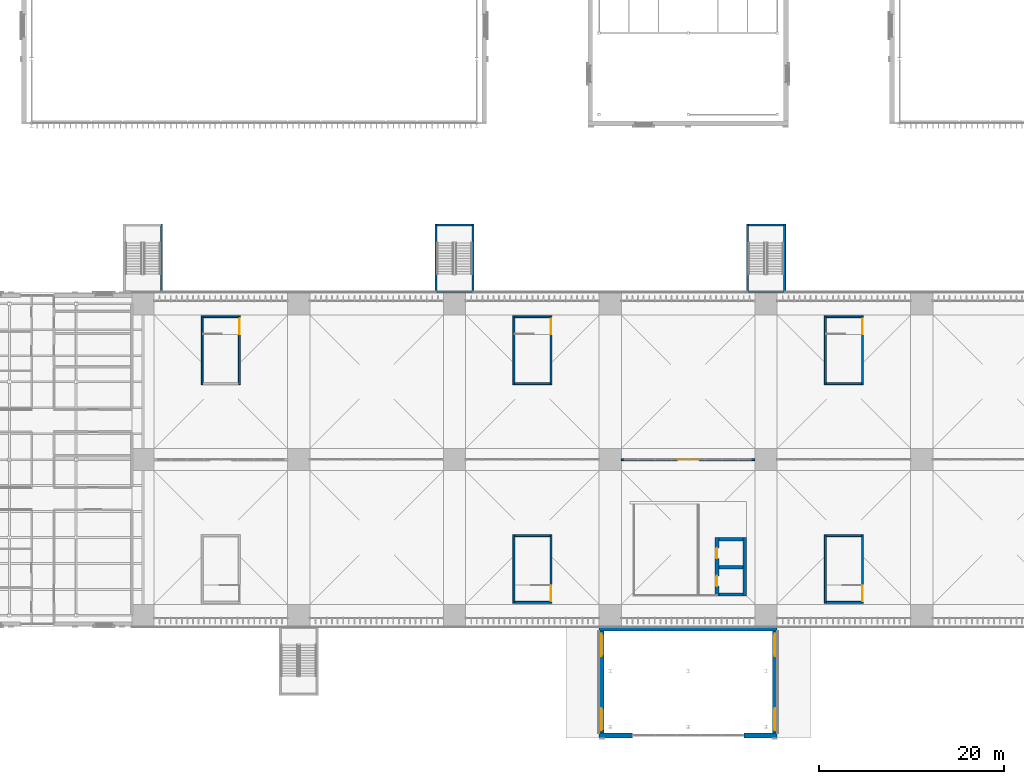
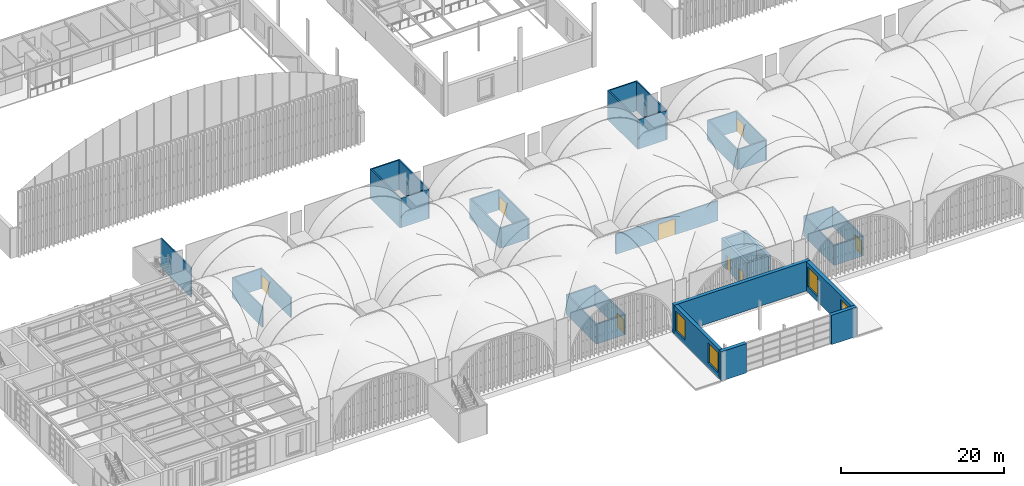
# One storey, part 99 of 169: 39 walls, 8 doors, 4 windows, 12 openings.
"""IFC4 building model written with IfcOpenShell, lengths in metres."""

from ifc_helpers import new_model, si_unit, direction, frame, frame_2d, origin, place, context, subcontext, project, spatial, rectangle, extrude, material, layer, layer_set, type_object, element, fill, save


model = new_model("IFC4")

# Units and contexts
model_context = context("Model", 3, precision=1e-05, world=origin(), true_north=direction((0.0, 1.0)))
body_context = subcontext(model_context, "Body", "Model", "MODEL_VIEW")
ifc_project = project(units=[si_unit("LENGTHUNIT", "METRE"), si_unit("AREAUNIT", "SQUARE_METRE"), si_unit("VOLUMEUNIT", "CUBIC_METRE"), si_unit("PLANEANGLEUNIT", "RADIAN"), si_unit("MASSUNIT", "GRAM", prefix="KILO")], contexts=[model_context])

# Site, building, storey
site_placement = place(None, origin())
site = spatial("IfcSite", under=ifc_project, at=site_placement, CompositionType="ELEMENT")
building_placement = place(site_placement, origin())
building = spatial("IfcBuilding", under=site, at=building_placement, Name="Verrick Yard Athletic Hall", CompositionType="ELEMENT")
storey_placement = place(building_placement, frame((0.0, 0.0, 4.39990234375)))
storey = spatial("IfcBuildingStorey", under=building, at=storey_placement, Name="L01", CompositionType="ELEMENT", Elevation=4.39990234375)

# Wall, opening, door
ifc_material_1 = material(Name="Concrete 35 MPa", Category="concrete")
ifc_layer_1 = layer(ifc_material_1, 0.199951171875)
ifc_layer_set_1 = layer_set([ifc_layer_1], Name="Concourse screen wall 200")
wall_type_1 = type_object("IfcWallType", Name="Concourse screen wall 200", PredefinedType="SOLIDWALL", material=ifc_layer_set_1)
wall_1_placement = place(storey_placement, frame((91.60009765625, 36.0, 0.0), z_axis=(0.0, 0.0, 1.0), x_axis=(1.0, 0.0, 0.0)))
wall_1 = element("IfcWall", 1, at=wall_1_placement, inside=storey, type_object=wall_type_1, Name="Concourse screen wall M4", PredefinedType="SOLIDWALL", context=body_context, shape_type="SweptSolid", body=[
    extrude(rectangle(XDim=14.39990234375, YDim=0.199951171875, at=frame_2d((7.199951171875, 0.0))), origin(), (0.0, 0.0, 1.0), 3.0),
])
opening_1_placement = place(wall_1_placement, frame((6.0, 0.0, 0.0)))
opening_1 = element("IfcOpeningElement", 2, at=opening_1_placement, cuts=wall_1, Name="Opening MD1", PredefinedType="OPENING", context=body_context, shape_type="SweptSolid", body=[
    extrude(rectangle(XDim=2.39990234375, YDim=2.39990234375, at=frame_2d((1.199951171875, 1.199951171875))), frame((0.0, 0.10986328125, 0.0), z_axis=(0.0, -1.0, 0.0), x_axis=(1.0, 0.0, 0.0)), (0.0, 0.0, 1.0), 0.219970703125),
])
ifc_material_2 = material(Name="Aluminium frame with double glazing", Category="aluminium")
door_type_1 = type_object("IfcDoorType", Name="Concourse door pair 2400 x 2400", OperationType="NOTDEFINED", PredefinedType="DOOR", material=ifc_material_2)
door_1_placement = place(opening_1_placement, origin())
door_1 = element("IfcDoor", 3, at=door_1_placement, inside=storey, type_object=door_type_1, Name="Concourse door M4", OperationType="DOUBLE_DOOR_SINGLE_SWING", OverallHeight=2.39990234375, OverallWidth=2.39990234375, PredefinedType="DOOR", context=body_context, shape_type="SweptSolid", body=[
    extrude(rectangle(XDim=2.39990234375, YDim=2.39990234375, at=frame_2d((1.199951171875, 1.199951171875))), frame((0.0, 0.02490234375, 0.0), z_axis=(0.0, -1.0, 0.0), x_axis=(1.0, 0.0, 0.0)), (0.0, 0.0, 1.0), 0.050048828125),
])
fill(opening_1, door_1)

# Wall, openings, doors
ifc_layer_2 = layer(ifc_material_1, 0.39990234375)
ifc_layer_set_2 = layer_set([ifc_layer_2], Name="Core wall CR400")
wall_type_2 = type_object("IfcWallType", Name="Core wall CR400", PredefinedType="SHEAR", material=ifc_layer_set_2)
wall_2_placement = place(storey_placement, frame((101.89990234375, 21.300048828125, 0.0), z_axis=(0.0, 0.0, 1.0), x_axis=(0.0, 1.0, 0.0)))
wall_2 = element("IfcWall", 4, at=wall_2_placement, inside=storey, type_object=wall_type_2, Name="CORE-FOY-WW-L01", PredefinedType="SHEAR", context=body_context, shape_type="SweptSolid", body=[
    extrude(rectangle(XDim=6.300048828125, YDim=0.39990234375, at=frame_2d((3.14990234375, 0.0))), origin(), (0.0, 0.0, 1.0), 4.0),
])
opening_2_placement = place(wall_2_placement, frame((1.050048828125, 0.0, 0.0)))
opening_2 = element("IfcOpeningElement", 5, at=opening_2_placement, cuts=wall_2, Name="Opening LD", PredefinedType="OPENING", context=body_context, shape_type="SweptSolid", body=[
    extrude(rectangle(XDim=1.10009765625, YDim=2.10009765625, at=frame_2d((0.550048828125, 1.050048828125))), frame((0.0, 0.2099609375, 0.0), z_axis=(0.0, -1.0, 0.0), x_axis=(1.0, 0.0, 0.0)), (0.0, 0.0, 1.0), 0.419921875),
])
opening_3_placement = place(wall_2_placement, frame((4.050048828125, 0.0, 0.0)))
opening_3 = element("IfcOpeningElement", 6, at=opening_3_placement, cuts=wall_2, Name="Opening LD", PredefinedType="OPENING", context=body_context, shape_type="SweptSolid", body=[
    extrude(rectangle(XDim=1.10009765625, YDim=2.10009765625, at=frame_2d((0.550048828125, 1.050048828125))), frame((0.0, 0.2099609375, 0.0), z_axis=(0.0, -1.0, 0.0), x_axis=(1.0, 0.0, 0.0)), (0.0, 0.0, 1.0), 0.419921875),
])
ifc_material_3 = material(Name="Stainless steel landing door", Category="steel")
door_type_2 = type_object("IfcDoorType", Name="Lift landing door LD 1100x2100", OperationType="NOTDEFINED", PredefinedType="DOOR", material=ifc_material_3)
door_2_placement = place(opening_2_placement, origin())
door_2 = element("IfcDoor", 7, at=door_2_placement, inside=storey, type_object=door_type_2, Name="Lift landing door", OperationType="SLIDING_TO_LEFT", OverallHeight=2.10009765625, OverallWidth=1.10009765625, PredefinedType="DOOR", context=body_context, shape_type="SweptSolid", body=[
    extrude(rectangle(XDim=1.10009765625, YDim=2.10009765625, at=frame_2d((0.550048828125, 1.050048828125))), frame((0.0, 0.02490234375, 0.0), z_axis=(0.0, -1.0, 0.0), x_axis=(1.0, 0.0, 0.0)), (0.0, 0.0, 1.0), 0.050048828125),
])
fill(opening_2, door_2)
door_3_placement = place(opening_3_placement, origin())
door_3 = element("IfcDoor", 8, at=door_3_placement, inside=storey, type_object=door_type_2, Name="Lift landing door", OperationType="SLIDING_TO_LEFT", OverallHeight=2.10009765625, OverallWidth=1.10009765625, PredefinedType="DOOR", context=body_context, shape_type="SweptSolid", body=[
    extrude(rectangle(XDim=1.10009765625, YDim=2.10009765625, at=frame_2d((0.550048828125, 1.050048828125))), frame((0.0, 0.02490234375, 0.0), z_axis=(0.0, -1.0, 0.0), x_axis=(1.0, 0.0, 0.0)), (0.0, 0.0, 1.0), 0.050048828125),
])
fill(opening_3, door_3)

# Walls
wall_3_placement = place(storey_placement, frame((104.89990234375, 21.300048828125, 0.0), z_axis=(0.0, 0.0, 1.0), x_axis=(0.0, 1.0, 0.0)))
element("IfcWall", 9, at=wall_3_placement, inside=storey, type_object=wall_type_2, Name="CORE-FOY-WE-L01", PredefinedType="SHEAR", context=body_context, shape_type="SweptSolid", body=[
    extrude(rectangle(XDim=6.300048828125, YDim=0.39990234375, at=frame_2d((3.14990234375, 0.0))), origin(), (0.0, 0.0, 1.0), 4.0),
])
for number, where, z_axis, x_axis, name in (
    (10, (102.10009765625, 24.39990234375, 0.0), (0.0, 0.0, 1.0), (1.0, 0.0, 0.0), "CORE-FOY-WM-L01"),
    (11, (102.10009765625, 27.39990234375, 0.0), (0.0, 0.0, 1.0), (1.0, 0.0, 0.0), "CORE-FOY-WN-L01"),
):
    element("IfcWall", number, at=place(storey_placement, frame(where, z_axis=z_axis, x_axis=x_axis)), inside=storey, type_object=wall_type_2, Name=name, PredefinedType="SHEAR", context=body_context, shape_type="SweptSolid", body=[
        extrude(rectangle(XDim=2.599853515625, YDim=0.39990234375, at=frame_2d((1.2998046875, 0.0))), origin(), (0.0, 0.0, 1.0), 4.0),
    ])
ifc_layer_3 = layer(ifc_material_1, 0.199951171875)
ifc_layer_set_3 = layer_set([ifc_layer_3], Name="Enclosure wall CR200")
wall_type_3 = type_object("IfcWallType", Name="Enclosure wall CR200", PredefinedType="SOLIDWALL", material=ifc_layer_set_3)
wall_4_placement = place(storey_placement, frame((46.39990234375, 44.10009765625, 0.0), z_axis=(0.0, 0.0, 1.0), x_axis=(0.0, 1.0, 0.0)))
element("IfcWall", 12, at=wall_4_placement, inside=storey, type_object=wall_type_3, Name="CORE-PS-N1-WW-L01", PredefinedType="SOLIDWALL", context=body_context, shape_type="SweptSolid", body=[
    extrude(rectangle(XDim=7.39990234375, YDim=0.199951171875, at=frame_2d((3.699951171875, 0.0))), origin(), (0.0, 0.0, 1.0), 3.0),
])

# Wall, opening, door
wall_5_placement = place(storey_placement, frame((50.39990234375, 44.10009765625, 0.0), z_axis=(0.0, 0.0, 1.0), x_axis=(0.0, 1.0, 0.0)))
wall_5 = element("IfcWall", 13, at=wall_5_placement, inside=storey, type_object=wall_type_3, Name="CORE-PS-N1-WE-L01", PredefinedType="SOLIDWALL", context=body_context, shape_type="SweptSolid", body=[
    extrude(rectangle(XDim=7.39990234375, YDim=0.199951171875, at=frame_2d((3.699951171875, 0.0))), origin(), (0.0, 0.0, 1.0), 3.0),
])
opening_4_placement = place(wall_5_placement, frame((5.39990234375, 0.0, 0.0)))
opening_4 = element("IfcOpeningElement", 14, at=opening_4_placement, cuts=wall_5, Name="Opening SD2", PredefinedType="OPENING", context=body_context, shape_type="SweptSolid", body=[
    extrude(rectangle(XDim=1.699951171875, YDim=2.10009765625, at=frame_2d((0.85009765625, 1.050048828125))), frame((0.0, 0.10986328125, 0.0), z_axis=(0.0, -1.0, 0.0), x_axis=(1.0, 0.0, 0.0)), (0.0, 0.0, 1.0), 0.219970703125),
])
ifc_material_4 = material(Name="Hollow metal door leaf")
door_type_3 = type_object("IfcDoorType", Name="Core door SD2 1700x2100", OperationType="NOTDEFINED", PredefinedType="DOOR", material=ifc_material_4)
door_4_placement = place(opening_4_placement, origin())
door_4 = element("IfcDoor", 15, at=door_4_placement, inside=storey, type_object=door_type_3, Name="CORE-PS-N1-WE-L01-DSD2-5035", OperationType="DOUBLE_DOOR_SINGLE_SWING", OverallHeight=2.10009765625, OverallWidth=1.699951171875, PredefinedType="DOOR", context=body_context, shape_type="SweptSolid", body=[
    extrude(rectangle(XDim=1.699951171875, YDim=2.10009765625, at=frame_2d((0.85009765625, 1.050048828125))), frame((0.0, 0.02490234375, 0.0), z_axis=(0.0, -1.0, 0.0), x_axis=(1.0, 0.0, 0.0)), (0.0, 0.0, 1.0), 0.050048828125),
])
fill(opening_4, door_4)

# Walls
wall_6_placement = place(storey_placement, frame((46.5, 51.39990234375, 0.0), z_axis=(0.0, 0.0, 1.0), x_axis=(1.0, 0.0, 0.0)))
element("IfcWall", 16, at=wall_6_placement, inside=storey, type_object=wall_type_3, Name="CORE-PS-N1-WN-L01", PredefinedType="SOLIDWALL", context=body_context, shape_type="SweptSolid", body=[
    extrude(rectangle(XDim=3.800048828125, YDim=0.199951171875, at=frame_2d((1.89990234375, 0.0))), origin(), (0.0, 0.0, 1.0), 3.0),
])
wall_7_placement = place(storey_placement, frame((80.0, 44.10009765625, 0.0), z_axis=(0.0, 0.0, 1.0), x_axis=(0.0, 1.0, 0.0)))
element("IfcWall", 17, at=wall_7_placement, inside=storey, type_object=wall_type_3, Name="CORE-PS-N2-WW-L01", PredefinedType="SOLIDWALL", context=body_context, shape_type="SweptSolid", body=[
    extrude(rectangle(XDim=7.39990234375, YDim=0.199951171875, at=frame_2d((3.699951171875, 0.0))), origin(), (0.0, 0.0, 1.0), 3.0),
])

# Wall, opening, door
wall_8_placement = place(storey_placement, frame((84.0, 44.10009765625, 0.0), z_axis=(0.0, 0.0, 1.0), x_axis=(0.0, 1.0, 0.0)))
wall_8 = element("IfcWall", 18, at=wall_8_placement, inside=storey, type_object=wall_type_3, Name="CORE-PS-N2-WE-L01", PredefinedType="SOLIDWALL", context=body_context, shape_type="SweptSolid", body=[
    extrude(rectangle(XDim=7.39990234375, YDim=0.199951171875, at=frame_2d((3.699951171875, 0.0))), origin(), (0.0, 0.0, 1.0), 3.0),
])
opening_5_placement = place(wall_8_placement, frame((5.39990234375, 0.0, 0.0)))
opening_5 = element("IfcOpeningElement", 19, at=opening_5_placement, cuts=wall_8, Name="Opening SD2", PredefinedType="OPENING", context=body_context, shape_type="SweptSolid", body=[
    extrude(rectangle(XDim=1.699951171875, YDim=2.10009765625, at=frame_2d((0.85009765625, 1.050048828125))), frame((0.0, 0.10986328125, 0.0), z_axis=(0.0, -1.0, 0.0), x_axis=(1.0, 0.0, 0.0)), (0.0, 0.0, 1.0), 0.219970703125),
])
door_5_placement = place(opening_5_placement, origin())
door_5 = element("IfcDoor", 20, at=door_5_placement, inside=storey, type_object=door_type_3, Name="CORE-PS-N2-WE-L01-DSD2-5035", OperationType="DOUBLE_DOOR_SINGLE_SWING", OverallHeight=2.10009765625, OverallWidth=1.699951171875, PredefinedType="DOOR", context=body_context, shape_type="SweptSolid", body=[
    extrude(rectangle(XDim=1.699951171875, YDim=2.10009765625, at=frame_2d((0.85009765625, 1.050048828125))), frame((0.0, 0.02490234375, 0.0), z_axis=(0.0, -1.0, 0.0), x_axis=(1.0, 0.0, 0.0)), (0.0, 0.0, 1.0), 0.050048828125),
])
fill(opening_5, door_5)

# Walls
for number, where, z_axis, x_axis, name in (
    (21, (80.10009765625, 44.199951171875, 0.0), (0.0, 0.0, 1.0), (1.0, 0.0, 0.0), "CORE-PS-N2-WS-L01"),
    (22, (80.10009765625, 51.39990234375, 0.0), (0.0, 0.0, 1.0), (1.0, 0.0, 0.0), "CORE-PS-N2-WN-L01"),
):
    element("IfcWall", number, at=place(storey_placement, frame(where, z_axis=z_axis, x_axis=x_axis)), inside=storey, type_object=wall_type_3, Name=name, PredefinedType="SOLIDWALL", context=body_context, shape_type="SweptSolid", body=[
        extrude(rectangle(XDim=3.7998046875, YDim=0.199951171875, at=frame_2d((1.89990234375, 0.0))), origin(), (0.0, 0.0, 1.0), 3.0),
    ])
wall_9_placement = place(storey_placement, frame((113.60009765625, 44.10009765625, 0.0), z_axis=(0.0, 0.0, 1.0), x_axis=(0.0, 1.0, 0.0)))
element("IfcWall", 23, at=wall_9_placement, inside=storey, type_object=wall_type_3, Name="CORE-PS-N3-WW-L01", PredefinedType="SOLIDWALL", context=body_context, shape_type="SweptSolid", body=[
    extrude(rectangle(XDim=7.39990234375, YDim=0.199951171875, at=frame_2d((3.699951171875, 0.0))), origin(), (0.0, 0.0, 1.0), 3.0),
])

# Wall, opening, door
wall_10_placement = place(storey_placement, frame((117.60009765625, 44.10009765625, 0.0), z_axis=(0.0, 0.0, 1.0), x_axis=(0.0, 1.0, 0.0)))
wall_10 = element("IfcWall", 24, at=wall_10_placement, inside=storey, type_object=wall_type_3, Name="CORE-PS-N3-WE-L01", PredefinedType="SOLIDWALL", context=body_context, shape_type="SweptSolid", body=[
    extrude(rectangle(XDim=7.39990234375, YDim=0.199951171875, at=frame_2d((3.699951171875, 0.0))), origin(), (0.0, 0.0, 1.0), 3.0),
])
opening_6_placement = place(wall_10_placement, frame((5.39990234375, 0.0, 0.0)))
opening_6 = element("IfcOpeningElement", 25, at=opening_6_placement, cuts=wall_10, Name="Opening SD2", PredefinedType="OPENING", context=body_context, shape_type="SweptSolid", body=[
    extrude(rectangle(XDim=1.699951171875, YDim=2.10009765625, at=frame_2d((0.85009765625, 1.050048828125))), frame((0.0, 0.10986328125, 0.0), z_axis=(0.0, -1.0, 0.0), x_axis=(1.0, 0.0, 0.0)), (0.0, 0.0, 1.0), 0.219970703125),
])
door_6_placement = place(opening_6_placement, origin())
door_6 = element("IfcDoor", 26, at=door_6_placement, inside=storey, type_object=door_type_3, Name="CORE-PS-N3-WE-L01-DSD2-5035", OperationType="DOUBLE_DOOR_SINGLE_SWING", OverallHeight=2.10009765625, OverallWidth=1.699951171875, PredefinedType="DOOR", context=body_context, shape_type="SweptSolid", body=[
    extrude(rectangle(XDim=1.699951171875, YDim=2.10009765625, at=frame_2d((0.85009765625, 1.050048828125))), frame((0.0, 0.02490234375, 0.0), z_axis=(0.0, -1.0, 0.0), x_axis=(1.0, 0.0, 0.0)), (0.0, 0.0, 1.0), 0.050048828125),
])
fill(opening_6, door_6)

# Walls
for number, where, z_axis, x_axis, name in (
    (27, (113.699951171875, 44.199951171875, 0.0), (0.0, 0.0, 1.0), (1.0, 0.0, 0.0), "CORE-PS-N3-WS-L01"),
    (28, (113.699951171875, 51.39990234375, 0.0), (0.0, 0.0, 1.0), (1.0, 0.0, 0.0), "CORE-PS-N3-WN-L01"),
):
    element("IfcWall", number, at=place(storey_placement, frame(where, z_axis=z_axis, x_axis=x_axis)), inside=storey, type_object=wall_type_3, Name=name, PredefinedType="SOLIDWALL", context=body_context, shape_type="SweptSolid", body=[
        extrude(rectangle(XDim=3.800048828125, YDim=0.199951171875, at=frame_2d((1.89990234375, 0.0))), origin(), (0.0, 0.0, 1.0), 3.0),
    ])
wall_11_placement = place(storey_placement, frame((80.0, 20.5, 0.0), z_axis=(0.0, 0.0, 1.0), x_axis=(0.0, 1.0, 0.0)))
element("IfcWall", 29, at=wall_11_placement, inside=storey, type_object=wall_type_3, Name="CORE-PS-S2-WW-L01", PredefinedType="SOLIDWALL", context=body_context, shape_type="SweptSolid", body=[
    extrude(rectangle(XDim=7.39990234375, YDim=0.199951171875, at=frame_2d((3.699951171875, 0.0))), origin(), (0.0, 0.0, 1.0), 3.0),
])

# Wall, opening, door
wall_12_placement = place(storey_placement, frame((84.0, 20.5, 0.0), z_axis=(0.0, 0.0, 1.0), x_axis=(0.0, 1.0, 0.0)))
wall_12 = element("IfcWall", 30, at=wall_12_placement, inside=storey, type_object=wall_type_3, Name="CORE-PS-S2-WE-L01", PredefinedType="SOLIDWALL", context=body_context, shape_type="SweptSolid", body=[
    extrude(rectangle(XDim=7.39990234375, YDim=0.199951171875, at=frame_2d((3.699951171875, 0.0))), origin(), (0.0, 0.0, 1.0), 3.0),
])
opening_7_placement = place(wall_12_placement, frame((0.199951171875, 0.0, 0.0)))
opening_7 = element("IfcOpeningElement", 31, at=opening_7_placement, cuts=wall_12, Name="Opening SD2", PredefinedType="OPENING", context=body_context, shape_type="SweptSolid", body=[
    extrude(rectangle(XDim=1.699951171875, YDim=2.10009765625, at=frame_2d((0.85009765625, 1.050048828125))), frame((0.0, 0.10986328125, 0.0), z_axis=(0.0, -1.0, 0.0), x_axis=(1.0, 0.0, 0.0)), (0.0, 0.0, 1.0), 0.219970703125),
])
door_7_placement = place(opening_7_placement, origin())
door_7 = element("IfcDoor", 32, at=door_7_placement, inside=storey, type_object=door_type_3, Name="CORE-PS-S2-WE-L01-DSD2-2155", OperationType="DOUBLE_DOOR_SINGLE_SWING", OverallHeight=2.10009765625, OverallWidth=1.699951171875, PredefinedType="DOOR", context=body_context, shape_type="SweptSolid", body=[
    extrude(rectangle(XDim=1.699951171875, YDim=2.10009765625, at=frame_2d((0.85009765625, 1.050048828125))), frame((0.0, 0.02490234375, 0.0), z_axis=(0.0, -1.0, 0.0), x_axis=(1.0, 0.0, 0.0)), (0.0, 0.0, 1.0), 0.050048828125),
])
fill(opening_7, door_7)

# Walls
for number, where, z_axis, x_axis, name in (
    (33, (80.10009765625, 20.60009765625, 0.0), (0.0, 0.0, 1.0), (1.0, 0.0, 0.0), "CORE-PS-S2-WS-L01"),
    (34, (80.10009765625, 27.800048828125, 0.0), (0.0, 0.0, 1.0), (1.0, 0.0, 0.0), "CORE-PS-S2-WN-L01"),
):
    element("IfcWall", number, at=place(storey_placement, frame(where, z_axis=z_axis, x_axis=x_axis)), inside=storey, type_object=wall_type_3, Name=name, PredefinedType="SOLIDWALL", context=body_context, shape_type="SweptSolid", body=[
        extrude(rectangle(XDim=3.7998046875, YDim=0.199951171875, at=frame_2d((1.89990234375, 0.0))), origin(), (0.0, 0.0, 1.0), 3.0),
    ])
wall_13_placement = place(storey_placement, frame((113.60009765625, 20.5, 0.0), z_axis=(0.0, 0.0, 1.0), x_axis=(0.0, 1.0, 0.0)))
element("IfcWall", 35, at=wall_13_placement, inside=storey, type_object=wall_type_3, Name="CORE-PS-S3-WW-L01", PredefinedType="SOLIDWALL", context=body_context, shape_type="SweptSolid", body=[
    extrude(rectangle(XDim=7.39990234375, YDim=0.199951171875, at=frame_2d((3.699951171875, 0.0))), origin(), (0.0, 0.0, 1.0), 3.0),
])

# Wall, opening, door
wall_14_placement = place(storey_placement, frame((117.60009765625, 20.5, 0.0), z_axis=(0.0, 0.0, 1.0), x_axis=(0.0, 1.0, 0.0)))
wall_14 = element("IfcWall", 36, at=wall_14_placement, inside=storey, type_object=wall_type_3, Name="CORE-PS-S3-WE-L01", PredefinedType="SOLIDWALL", context=body_context, shape_type="SweptSolid", body=[
    extrude(rectangle(XDim=7.39990234375, YDim=0.199951171875, at=frame_2d((3.699951171875, 0.0))), origin(), (0.0, 0.0, 1.0), 3.0),
])
opening_8_placement = place(wall_14_placement, frame((0.199951171875, 0.0, 0.0)))
opening_8 = element("IfcOpeningElement", 37, at=opening_8_placement, cuts=wall_14, Name="Opening SD2", PredefinedType="OPENING", context=body_context, shape_type="SweptSolid", body=[
    extrude(rectangle(XDim=1.699951171875, YDim=2.10009765625, at=frame_2d((0.85009765625, 1.050048828125))), frame((0.0, 0.10986328125, 0.0), z_axis=(0.0, -1.0, 0.0), x_axis=(1.0, 0.0, 0.0)), (0.0, 0.0, 1.0), 0.219970703125),
])
door_8_placement = place(opening_8_placement, origin())
door_8 = element("IfcDoor", 38, at=door_8_placement, inside=storey, type_object=door_type_3, Name="CORE-PS-S3-WE-L01-DSD2-2155", OperationType="DOUBLE_DOOR_SINGLE_SWING", OverallHeight=2.10009765625, OverallWidth=1.699951171875, PredefinedType="DOOR", context=body_context, shape_type="SweptSolid", body=[
    extrude(rectangle(XDim=1.699951171875, YDim=2.10009765625, at=frame_2d((0.85009765625, 1.050048828125))), frame((0.0, 0.02490234375, 0.0), z_axis=(0.0, -1.0, 0.0), x_axis=(1.0, 0.0, 0.0)), (0.0, 0.0, 1.0), 0.050048828125),
])
fill(opening_8, door_8)

# Walls
for number, where, z_axis, x_axis, name in (
    (39, (113.699951171875, 20.60009765625, 0.0), (0.0, 0.0, 1.0), (1.0, 0.0, 0.0), "CORE-PS-S3-WS-L01"),
    (40, (113.699951171875, 27.800048828125, 0.0), (0.0, 0.0, 1.0), (1.0, 0.0, 0.0), "CORE-PS-S3-WN-L01"),
):
    element("IfcWall", number, at=place(storey_placement, frame(where, z_axis=z_axis, x_axis=x_axis)), inside=storey, type_object=wall_type_3, Name=name, PredefinedType="SOLIDWALL", context=body_context, shape_type="SweptSolid", body=[
        extrude(rectangle(XDim=3.800048828125, YDim=0.199951171875, at=frame_2d((1.89990234375, 0.0))), origin(), (0.0, 0.0, 1.0), 3.0),
    ])
ifc_layer_4 = layer(ifc_material_1, 0.199951171875)
ifc_layer_set_4 = layer_set([ifc_layer_4], Name="External enclosure wall CR200")
wall_type_4 = type_object("IfcWallType", Name="External enclosure wall CR200", PredefinedType="SOLIDWALL", material=ifc_layer_set_4)
for number, where, z_axis, x_axis, name in (
    (41, (42.0, 61.39990234375, 0.0), (0.0, 0.0, 1.0), (0.0, -1.0, 0.0), "CORE-DT-N1-WE-L01"),
    (42, (105.199951171875, 54.0, 0.0), (0.0, 0.0, 1.0), (0.0, 1.0, 0.0), "CORE-DT-N2-WW-L01"),
    (43, (109.199951171875, 61.39990234375, 0.0), (0.0, 0.0, 1.0), (0.0, -1.0, 0.0), "CORE-DT-N2-WE-L01"),
):
    element("IfcWall", number, at=place(storey_placement, frame(where, z_axis=z_axis, x_axis=x_axis)), inside=storey, type_object=wall_type_4, Name=name, PredefinedType="SOLIDWALL", context=body_context, shape_type="SweptSolid", body=[
        extrude(rectangle(XDim=7.39990234375, YDim=0.199951171875, at=frame_2d((3.699951171875, 0.0))), origin(), (0.0, 0.0, 1.0), 4.400146484375),
    ])
for number, where, z_axis, x_axis, name in (
    (44, (105.300048828125, 54.10009765625, 0.0), (0.0, 0.0, 1.0), (1.0, 0.0, 0.0), "CORE-DT-N2-WS-L01"),
    (45, (105.300048828125, 61.300048828125, 0.0), (0.0, 0.0, 1.0), (1.0, 0.0, 0.0), "CORE-DT-N2-WN-L01"),
):
    element("IfcWall", number, at=place(storey_placement, frame(where, z_axis=z_axis, x_axis=x_axis)), inside=storey, type_object=wall_type_4, Name=name, PredefinedType="SOLIDWALL", context=body_context, shape_type="SweptSolid", body=[
        extrude(rectangle(XDim=3.800048828125, YDim=0.199951171875, at=frame_2d((1.89990234375, 0.0))), origin(), (0.0, 0.0, 1.0), 4.400146484375),
    ])
for number, where, z_axis, x_axis, name in (
    (46, (71.60009765625, 54.0, 0.0), (0.0, 0.0, 1.0), (0.0, 1.0, 0.0), "CORE-DT-N3-WW-L01"),
    (47, (75.60009765625, 61.39990234375, 0.0), (0.0, 0.0, 1.0), (0.0, -1.0, 0.0), "CORE-DT-N3-WE-L01"),
):
    element("IfcWall", number, at=place(storey_placement, frame(where, z_axis=z_axis, x_axis=x_axis)), inside=storey, type_object=wall_type_4, Name=name, PredefinedType="SOLIDWALL", context=body_context, shape_type="SweptSolid", body=[
        extrude(rectangle(XDim=7.39990234375, YDim=0.199951171875, at=frame_2d((3.699951171875, 0.0))), origin(), (0.0, 0.0, 1.0), 4.400146484375),
    ])
for number, where, z_axis, x_axis, name in (
    (48, (71.699951171875, 54.10009765625, 0.0), (0.0, 0.0, 1.0), (1.0, 0.0, 0.0), "CORE-DT-N3-WS-L01"),
    (49, (71.699951171875, 61.300048828125, 0.0), (0.0, 0.0, 1.0), (1.0, 0.0, 0.0), "CORE-DT-N3-WN-L01"),
):
    element("IfcWall", number, at=place(storey_placement, frame(where, z_axis=z_axis, x_axis=x_axis)), inside=storey, type_object=wall_type_4, Name=name, PredefinedType="SOLIDWALL", context=body_context, shape_type="SweptSolid", body=[
        extrude(rectangle(XDim=3.800048828125, YDim=0.199951171875, at=frame_2d((1.89990234375, 0.0))), origin(), (0.0, 0.0, 1.0), 4.400146484375),
    ])
ifc_layer_5 = layer(ifc_material_1, 0.300048828125)
ifc_layer_set_5 = layer_set([ifc_layer_5], Name="Foyer wall CR300")
wall_type_5 = type_object("IfcWallType", Name="Foyer wall CR300", PredefinedType="SOLIDWALL", material=ifc_layer_set_5)
wall_15_placement = place(storey_placement, frame((102.10009765625, 21.449951171875, 0.0), z_axis=(0.0, 0.0, 1.0), x_axis=(1.0, 0.0, 0.0)))
element("IfcWall", 50, at=wall_15_placement, inside=storey, type_object=wall_type_5, Name="CORE-FOY-WS-L01", PredefinedType="SOLIDWALL", context=body_context, shape_type="SweptSolid", body=[
    extrude(rectangle(XDim=2.599853515625, YDim=0.300048828125, at=frame_2d((1.2998046875, 0.0))), origin(), (0.0, 0.0, 1.0), 4.0),
])
ifc_material_5 = material(Name="Tyndall-stone-look precast cladding", Category="masonry")
ifc_layer_6 = layer(ifc_material_5, 0.125, Name="Tyndall-stone-look precast cladding")
ifc_material_6 = material(Name="Mineral wool insulation")
ifc_layer_7 = layer(ifc_material_6, 0.125, Name="Mineral wool insulation")
ifc_layer_8 = layer(ifc_material_1, 0.25, Name="Concrete 35 MPa")
ifc_layer_set_6 = layer_set([ifc_layer_6, ifc_layer_7, ifc_layer_8], Name="Pavilion internal wall")
wall_type_6 = type_object("IfcWallType", Name="Pavilion internal wall", PredefinedType="SOLIDWALL", material=ifc_layer_set_6)
wall_16_placement = place(storey_placement, frame((89.199951171875, 17.75, 0.0), z_axis=(0.0, 0.0, 1.0), x_axis=(1.0, 0.0, 0.0)))
element("IfcWall", 51, at=wall_16_placement, inside=storey, type_object=wall_type_6, Name="ENVB-FY-N-L01", PredefinedType="SOLIDWALL", context=body_context, shape_type="SweptSolid", body=[
    extrude(rectangle(XDim=19.199951171875, YDim=0.5, at=frame_2d((9.60009765625, 0.0))), origin(), (0.0, 0.0, 1.0), 4.400146484375),
])

# Wall, openings, windows
ifc_layer_9 = layer(ifc_material_5, 0.125, Name="Tyndall-stone-look precast cladding")
ifc_layer_10 = layer(ifc_material_6, 0.125, Name="Mineral wool insulation")
ifc_layer_11 = layer(ifc_material_1, 0.25, Name="Concrete 35 MPa")
ifc_layer_set_7 = layer_set([ifc_layer_9, ifc_layer_10, ifc_layer_11], Name="Pavilion wall")
wall_type_7 = type_object("IfcWallType", Name="Pavilion wall", PredefinedType="SOLIDWALL", material=ifc_layer_set_7)
wall_17_placement = place(storey_placement, frame((89.449951171875, 6.5, 0.0), z_axis=(0.0, 0.0, 1.0), x_axis=(0.0, 1.0, 0.0)))
wall_17 = element("IfcWall", 52, at=wall_17_placement, inside=storey, type_object=wall_type_7, Name="ENVB-FY-W-L01", PredefinedType="SOLIDWALL", context=body_context, shape_type="SweptSolid", body=[
    extrude(rectangle(XDim=11.0, YDim=0.5, at=frame_2d((5.5, 0.0))), origin(), (0.0, 0.0, 1.0), 4.400146484375),
])
opening_9_placement = place(wall_17_placement, frame((0.300048828125, 0.0, 0.800048828125)))
opening_9 = element("IfcOpeningElement", 53, at=opening_9_placement, cuts=wall_17, Name="Opening W31", PredefinedType="OPENING", context=body_context, shape_type="SweptSolid", body=[
    extrude(rectangle(XDim=2.39990234375, YDim=3.0, at=frame_2d((1.199951171875, 1.5))), frame((0.0, 0.260009765625, 0.0), z_axis=(0.0, -1.0, 0.0), x_axis=(1.0, 0.0, 0.0)), (0.0, 0.0, 1.0), 0.52001953125),
])
opening_10_placement = place(wall_17_placement, frame((8.300048828125, 0.0, 0.800048828125)))
opening_10 = element("IfcOpeningElement", 54, at=opening_10_placement, cuts=wall_17, Name="Opening W31", PredefinedType="OPENING", context=body_context, shape_type="SweptSolid", body=[
    extrude(rectangle(XDim=2.39990234375, YDim=3.0, at=frame_2d((1.199951171875, 1.5))), frame((0.0, 0.260009765625, 0.0), z_axis=(0.0, -1.0, 0.0), x_axis=(1.0, 0.0, 0.0)), (0.0, 0.0, 1.0), 0.52001953125),
])
ifc_material_7 = material(Name="Anodised aluminium frame with insulated glazing", Category="aluminium")
window_type = type_object("IfcWindowType", Name="Foyer window 2400x3000", PartitioningType="NOTDEFINED", PredefinedType="WINDOW", material=ifc_material_7)
window_1_placement = place(opening_9_placement, origin())
window_1 = element("IfcWindow", 55, at=window_1_placement, inside=storey, type_object=window_type, Name="ENVB-FY-W-L01-W1", OverallHeight=3.0, OverallWidth=2.39990234375, PartitioningType="SINGLE_PANEL", PredefinedType="WINDOW", context=body_context, shape_type="SweptSolid", body=[
    extrude(rectangle(XDim=2.39990234375, YDim=3.0, at=frame_2d((1.199951171875, 1.5))), frame((0.0, 0.030029296875, 0.0), z_axis=(0.0, -1.0, 0.0), x_axis=(1.0, 0.0, 0.0)), (0.0, 0.0, 1.0), 0.06005859375),
])
fill(opening_9, window_1)
window_2_placement = place(opening_10_placement, origin())
window_2 = element("IfcWindow", 56, at=window_2_placement, inside=storey, type_object=window_type, Name="ENVB-FY-W-L01-W2", OverallHeight=3.0, OverallWidth=2.39990234375, PartitioningType="SINGLE_PANEL", PredefinedType="WINDOW", context=body_context, shape_type="SweptSolid", body=[
    extrude(rectangle(XDim=2.39990234375, YDim=3.0, at=frame_2d((1.199951171875, 1.5))), frame((0.0, 0.030029296875, 0.0), z_axis=(0.0, -1.0, 0.0), x_axis=(1.0, 0.0, 0.0)), (0.0, 0.0, 1.0), 0.06005859375),
])
fill(opening_10, window_2)

wall_18_placement = place(storey_placement, frame((108.14990234375, 6.5, 0.0), z_axis=(0.0, 0.0, 1.0), x_axis=(0.0, 1.0, 0.0)))
wall_18 = element("IfcWall", 57, at=wall_18_placement, inside=storey, type_object=wall_type_7, Name="ENVB-FY-E-L01", PredefinedType="SOLIDWALL", context=body_context, shape_type="SweptSolid", body=[
    extrude(rectangle(XDim=11.0, YDim=0.5, at=frame_2d((5.5, 0.0))), origin(), (0.0, 0.0, 1.0), 4.400146484375),
])
opening_11_placement = place(wall_18_placement, frame((0.300048828125, 0.0, 0.800048828125)))
opening_11 = element("IfcOpeningElement", 58, at=opening_11_placement, cuts=wall_18, Name="Opening W31", PredefinedType="OPENING", context=body_context, shape_type="SweptSolid", body=[
    extrude(rectangle(XDim=2.39990234375, YDim=3.0, at=frame_2d((1.199951171875, 1.5))), frame((0.0, 0.260009765625, 0.0), z_axis=(0.0, -1.0, 0.0), x_axis=(1.0, 0.0, 0.0)), (0.0, 0.0, 1.0), 0.52001953125),
])
opening_12_placement = place(wall_18_placement, frame((8.300048828125, 0.0, 0.800048828125)))
opening_12 = element("IfcOpeningElement", 59, at=opening_12_placement, cuts=wall_18, Name="Opening W31", PredefinedType="OPENING", context=body_context, shape_type="SweptSolid", body=[
    extrude(rectangle(XDim=2.39990234375, YDim=3.0, at=frame_2d((1.199951171875, 1.5))), frame((0.0, 0.260009765625, 0.0), z_axis=(0.0, -1.0, 0.0), x_axis=(1.0, 0.0, 0.0)), (0.0, 0.0, 1.0), 0.52001953125),
])
window_3_placement = place(opening_11_placement, origin())
window_3 = element("IfcWindow", 60, at=window_3_placement, inside=storey, type_object=window_type, Name="ENVB-FY-E-L01-W1", OverallHeight=3.0, OverallWidth=2.39990234375, PartitioningType="SINGLE_PANEL", PredefinedType="WINDOW", context=body_context, shape_type="SweptSolid", body=[
    extrude(rectangle(XDim=2.39990234375, YDim=3.0, at=frame_2d((1.199951171875, 1.5))), frame((0.0, 0.030029296875, 0.0), z_axis=(0.0, -1.0, 0.0), x_axis=(1.0, 0.0, 0.0)), (0.0, 0.0, 1.0), 0.06005859375),
])
fill(opening_11, window_3)
window_4_placement = place(opening_12_placement, origin())
window_4 = element("IfcWindow", 61, at=window_4_placement, inside=storey, type_object=window_type, Name="ENVB-FY-E-L01-W2", OverallHeight=3.0, OverallWidth=2.39990234375, PartitioningType="SINGLE_PANEL", PredefinedType="WINDOW", context=body_context, shape_type="SweptSolid", body=[
    extrude(rectangle(XDim=2.39990234375, YDim=3.0, at=frame_2d((1.199951171875, 1.5))), frame((0.0, 0.030029296875, 0.0), z_axis=(0.0, -1.0, 0.0), x_axis=(1.0, 0.0, 0.0)), (0.0, 0.0, 1.0), 0.06005859375),
])
fill(opening_12, window_4)

# Walls
wall_19_placement = place(storey_placement, frame((89.199951171875, 6.25, 0.0), z_axis=(0.0, 0.0, 1.0), x_axis=(1.0, 0.0, 0.0)))
element("IfcWall", 62, at=wall_19_placement, inside=storey, type_object=wall_type_7, Name="ENVB-FY-S-L01-W", PredefinedType="SOLIDWALL", context=body_context, shape_type="SweptSolid", body=[
    extrude(rectangle(XDim=3.60009765625, YDim=0.5, at=frame_2d((1.800048828125, 0.0))), origin(), (0.0, 0.0, 1.0), 4.400146484375),
])
wall_20_placement = place(storey_placement, frame((104.800048828125, 6.25, 0.0), z_axis=(0.0, 0.0, 1.0), x_axis=(1.0, 0.0, 0.0)))
element("IfcWall", 63, at=wall_20_placement, inside=storey, type_object=wall_type_7, Name="ENVB-FY-S-L01-E", PredefinedType="SOLIDWALL", context=body_context, shape_type="SweptSolid", body=[
    extrude(rectangle(XDim=3.599853515625, YDim=0.5, at=frame_2d((1.7998046875, 0.0))), origin(), (0.0, 0.0, 1.0), 4.400146484375),
])

save(model, "model.ifc")
